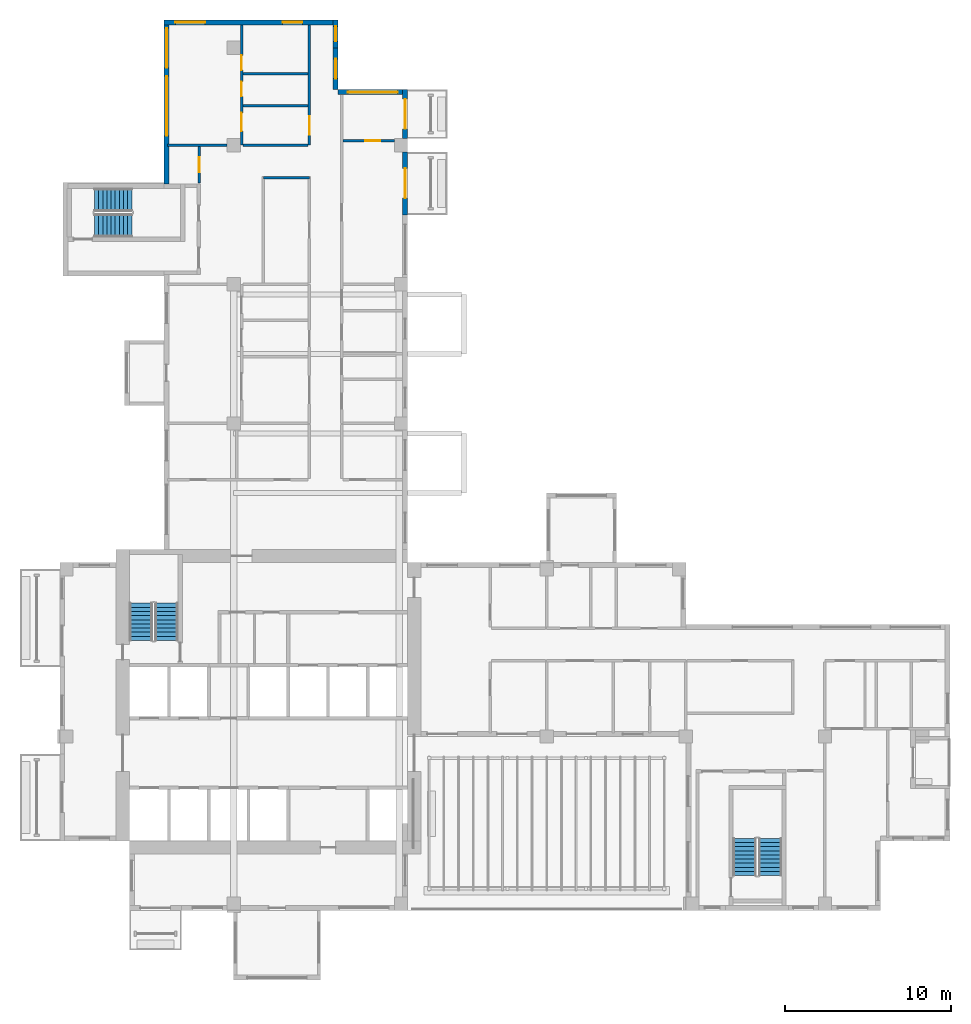
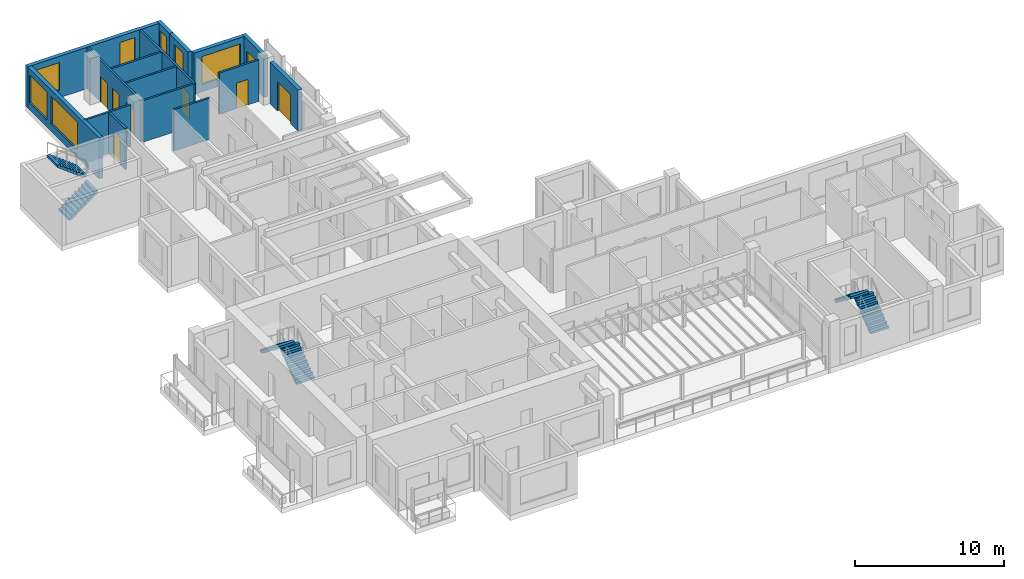
# One storey, part 9 of 13: 16 walls, 8 doors, 7 windows, 6 stair flights, 15 openings, 3 elements without a shape of their own.
"""IFC4 building model written with IfcOpenShell, lengths in metres."""

from ifc_helpers import new_model, si_unit, direction, frame, frame_2d, origin, place, context, subcontext, project, spatial, polyline, rectangle, outline, extrude, source, transform, mapped, material, layer, layer_set, type_object, element, fill, aggregate, save


model = new_model("IFC4")

# Units and contexts
model_context = context("Model", 3, precision=1e-05, world=origin(), true_north=direction((0.0, 1.0)))
body_context = subcontext(model_context, "Body", "Model", "MODEL_VIEW")
ifc_project = project(units=[si_unit("LENGTHUNIT", "METRE"), si_unit("AREAUNIT", "SQUARE_METRE"), si_unit("VOLUMEUNIT", "CUBIC_METRE"), si_unit("PLANEANGLEUNIT", "RADIAN"), si_unit("MASSUNIT", "GRAM", prefix="KILO")], contexts=[model_context])

# Site, building, storey
site_placement = place(None, origin())
site = spatial("IfcSite", under=ifc_project, at=site_placement, CompositionType="ELEMENT")
building_placement = place(site_placement, origin())
building = spatial("IfcBuilding", under=site, at=building_placement, Name="Aurelian Terraces", CompositionType="ELEMENT")
storey_placement = place(building_placement, frame((0.0, 0.0, 253.8)))
storey = spatial("IfcBuildingStorey", under=building, at=storey_placement, Name="L58", CompositionType="ELEMENT", Elevation=253.8)

# Wall, opening, window
ifc_material_1 = material(Name="Terracotta rainscreen cladding", Category="masonry")
ifc_layer_1 = layer(ifc_material_1, 0.3)
ifc_layer_set_1 = layer_set([ifc_layer_1], Name="EW-300")
wall_type_1 = type_object("IfcWallType", Name="EW-300", PredefinedType="STANDARD", material=ifc_layer_set_1)
shared_shape_1 = source(origin(), body_context, "Body", "SweptSolid", [
    extrude(rectangle(XDim=4.2, YDim=0.3, at=frame_2d((2.1, 0.0))), origin(), (0.0, 0.0, 1.0), 3.4),
])
wall_1_placement = place(storey_placement, frame((21.0, 49.41, 0.0), z_axis=(0.0, 0.0, 1.0), x_axis=(-1.0, 0.0, 0.0)))
wall_1 = element("IfcWall", 1, at=wall_1_placement, inside=storey, type_object=wall_type_1, Name="External wall L58 F13.26", PredefinedType="STANDARD", context=body_context, shape_type="MappedRepresentation", body=[
    mapped(shared_shape_1, transform((0.0, 0.0, 0.0), scale=1.0)),
])
shared_shape_2 = source(origin(), body_context, "Body", "SweptSolid", [
    extrude(rectangle(XDim=3.0, YDim=2.3, at=frame_2d((1.5, 1.15))), frame((0.0, 0.16, 0.0), z_axis=(0.0, -1.0, 0.0), x_axis=(1.0, 0.0, 0.0)), (0.0, 0.0, 1.0), 0.32),
])
opening_1_placement = place(wall_1_placement, frame((0.6, 0.0, 0.6)))
opening_1 = element("IfcOpeningElement", 2, at=opening_1_placement, cuts=wall_1, Name="Opening W3023", PredefinedType="OPENING", context=body_context, shape_type="MappedRepresentation", body=[
    mapped(shared_shape_2, transform((0.0, 0.0, 0.0), scale=1.0)),
])
ifc_material_2 = material(Name="Clear glazing", Category="glass")
window_type_1 = type_object("IfcWindowType", Name="W-3000x2300", PartitioningType="SINGLE_PANEL", PredefinedType="WINDOW", material=ifc_material_2)
shared_shape_3 = source(origin(), body_context, "Body", "SweptSolid", [
    extrude(rectangle(XDim=3.0, YDim=2.3, at=frame_2d((1.5, 1.15))), frame((0.0, 0.03, 0.0), z_axis=(0.0, -1.0, 0.0), x_axis=(1.0, 0.0, 0.0)), (0.0, 0.0, 1.0), 0.06),
])
window_1_placement = place(opening_1_placement, origin())
window_1 = element("IfcWindow", 3, at=window_1_placement, inside=storey, type_object=window_type_1, Name="Window L58 L58-F13-26-0", OverallHeight=2.3, OverallWidth=3.0, PartitioningType="SINGLE_PANEL", PredefinedType="WINDOW", context=body_context, shape_type="MappedRepresentation", body=[
    mapped(shared_shape_3, transform((0.0, 0.0, 0.0), scale=1.0)),
])
fill(opening_1, window_1)

shared_shape_4 = source(origin(), body_context, "Body", "SweptSolid", [
    extrude(rectangle(XDim=2.52, YDim=0.3, at=frame_2d((1.26, 0.0))), origin(), (0.0, 0.0, 1.0), 3.4),
])
wall_2_placement = place(storey_placement, frame((16.65, 49.56, 0.0), z_axis=(0.0, 0.0, 1.0), x_axis=(0.0, 1.0, 0.0)))
wall_2 = element("IfcWall", 4, at=wall_2_placement, inside=storey, type_object=wall_type_1, Name="External wall L58 F14.27", PredefinedType="STANDARD", context=body_context, shape_type="MappedRepresentation", body=[
    mapped(shared_shape_4, transform((0.0, 0.0, 0.0), scale=1.0)),
])
shared_shape_5 = source(origin(), body_context, "Body", "SweptSolid", [
    extrude(rectangle(XDim=1.2, YDim=2.3, at=frame_2d((0.6, 1.15))), frame((0.0, 0.16, 0.0), z_axis=(0.0, -1.0, 0.0), x_axis=(1.0, 0.0, 0.0)), (0.0, 0.0, 1.0), 0.32),
])
opening_2_placement = place(wall_2_placement, frame((0.66, 0.0, 0.6)))
opening_2 = element("IfcOpeningElement", 5, at=opening_2_placement, cuts=wall_2, Name="Opening W1223", PredefinedType="OPENING", context=body_context, shape_type="MappedRepresentation", body=[
    mapped(shared_shape_5, transform((0.0, 0.0, 0.0), scale=1.0)),
])
window_type_2 = type_object("IfcWindowType", Name="W-1200x2300", PartitioningType="SINGLE_PANEL", PredefinedType="WINDOW", material=ifc_material_2)
shared_shape_6 = source(origin(), body_context, "Body", "SweptSolid", [
    extrude(rectangle(XDim=1.2, YDim=2.3, at=frame_2d((0.6, 1.15))), frame((0.0, 0.03, 0.0), z_axis=(0.0, -1.0, 0.0), x_axis=(1.0, 0.0, 0.0)), (0.0, 0.0, 1.0), 0.06),
])
window_2_placement = place(opening_2_placement, origin())
window_2 = element("IfcWindow", 6, at=window_2_placement, inside=storey, type_object=window_type_2, Name="Window L58 L58-F14-27-0", OverallHeight=2.3, OverallWidth=1.2, PartitioningType="SINGLE_PANEL", PredefinedType="WINDOW", context=body_context, shape_type="MappedRepresentation", body=[
    mapped(shared_shape_6, transform((0.0, 0.0, 0.0), scale=1.0)),
])
fill(opening_2, window_2)

shared_shape_7 = source(origin(), body_context, "Body", "SweptSolid", [
    extrude(rectangle(XDim=1.68, YDim=0.3, at=frame_2d((0.84, 0.0))), origin(), (0.0, 0.0, 1.0), 3.4),
])
wall_3_placement = place(storey_placement, frame((16.65, 52.08, 0.0), z_axis=(0.0, 0.0, 1.0), x_axis=(0.0, 1.0, 0.0)))
wall_3 = element("IfcWall", 7, at=wall_3_placement, inside=storey, type_object=wall_type_1, Name="External wall L58 F14.28", PredefinedType="STANDARD", context=body_context, shape_type="MappedRepresentation", body=[
    mapped(shared_shape_7, transform((0.0, 0.0, 0.0), scale=1.0)),
])
shared_shape_8 = source(origin(), body_context, "Body", "SweptSolid", [
    extrude(rectangle(XDim=0.9, YDim=2.3, at=frame_2d((0.45, 1.15))), frame((0.0, 0.16, 0.0), z_axis=(0.0, -1.0, 0.0), x_axis=(1.0, 0.0, 0.0)), (0.0, 0.0, 1.0), 0.32),
])
opening_3_placement = place(wall_3_placement, frame((0.39, 0.0, 0.6)))
opening_3 = element("IfcOpeningElement", 8, at=opening_3_placement, cuts=wall_3, Name="Opening W0923", PredefinedType="OPENING", context=body_context, shape_type="MappedRepresentation", body=[
    mapped(shared_shape_8, transform((0.0, 0.0, 0.0), scale=1.0)),
])
window_type_3 = type_object("IfcWindowType", Name="W-900x2300", PartitioningType="SINGLE_PANEL", PredefinedType="WINDOW", material=ifc_material_2)
shared_shape_9 = source(origin(), body_context, "Body", "SweptSolid", [
    extrude(rectangle(XDim=0.9, YDim=2.3, at=frame_2d((0.45, 1.15))), frame((0.0, 0.03, 0.0), z_axis=(0.0, -1.0, 0.0), x_axis=(1.0, 0.0, 0.0)), (0.0, 0.0, 1.0), 0.06),
])
window_3_placement = place(opening_3_placement, origin())
window_3 = element("IfcWindow", 9, at=window_3_placement, inside=storey, type_object=window_type_3, Name="Window L58 L58-F14-28-P0", OverallHeight=2.3, OverallWidth=0.9, PartitioningType="SINGLE_PANEL", PredefinedType="WINDOW", context=body_context, shape_type="MappedRepresentation", body=[
    mapped(shared_shape_9, transform((0.0, 0.0, 0.0), scale=1.0)),
])
fill(opening_3, window_3)

# Wall, openings, windows
shared_shape_10 = source(origin(), body_context, "Body", "SweptSolid", [
    extrude(rectangle(XDim=10.5, YDim=0.3, at=frame_2d((5.25, 0.0))), origin(), (0.0, 0.0, 1.0), 3.4),
])
wall_4_placement = place(storey_placement, frame((16.8, 53.61, 0.0), z_axis=(0.0, 0.0, 1.0), x_axis=(-1.0, 0.0, 0.0)))
wall_4 = element("IfcWall", 10, at=wall_4_placement, inside=storey, type_object=wall_type_1, Name="External wall L58 F15.29", PredefinedType="STANDARD", context=body_context, shape_type="MappedRepresentation", body=[
    mapped(shared_shape_10, transform((0.0, 0.0, 0.0), scale=1.0)),
])
opening_4_placement = place(wall_4_placement, frame((2.15, 0.0, 0.6)))
opening_4 = element("IfcOpeningElement", 11, at=opening_4_placement, cuts=wall_4, Name="Opening W1223", PredefinedType="OPENING", context=body_context, shape_type="MappedRepresentation", body=[
    mapped(shared_shape_5, transform((0.0, 0.0, 0.0), scale=1.0)),
])
shared_shape_11 = source(origin(), body_context, "Body", "SweptSolid", [
    extrude(rectangle(XDim=1.8, YDim=2.3, at=frame_2d((0.9, 1.15))), frame((0.0, 0.16, 0.0), z_axis=(0.0, -1.0, 0.0), x_axis=(1.0, 0.0, 0.0)), (0.0, 0.0, 1.0), 0.32),
])
opening_5_placement = place(wall_4_placement, frame((8.025, 0.0, 0.6)))
opening_5 = element("IfcOpeningElement", 12, at=opening_5_placement, cuts=wall_4, Name="Opening W1823", PredefinedType="OPENING", context=body_context, shape_type="MappedRepresentation", body=[
    mapped(shared_shape_11, transform((0.0, 0.0, 0.0), scale=1.0)),
])
window_4_placement = place(opening_4_placement, origin())
window_4 = element("IfcWindow", 13, at=window_4_placement, inside=storey, type_object=window_type_2, Name="Window L58 L58-F15-29-0", OverallHeight=2.3, OverallWidth=1.2, PartitioningType="SINGLE_PANEL", PredefinedType="WINDOW", context=body_context, shape_type="MappedRepresentation", body=[
    mapped(shared_shape_6, transform((0.0, 0.0, 0.0), scale=1.0)),
])
fill(opening_4, window_4)
window_type_4 = type_object("IfcWindowType", Name="W-1800x2300", PartitioningType="SINGLE_PANEL", PredefinedType="WINDOW", material=ifc_material_2)
shared_shape_12 = source(origin(), body_context, "Body", "SweptSolid", [
    extrude(rectangle(XDim=1.8, YDim=2.3, at=frame_2d((0.9, 1.15))), frame((0.0, 0.03, 0.0), z_axis=(0.0, -1.0, 0.0), x_axis=(1.0, 0.0, 0.0)), (0.0, 0.0, 1.0), 0.06),
])
window_5_placement = place(opening_5_placement, origin())
window_5 = element("IfcWindow", 14, at=window_5_placement, inside=storey, type_object=window_type_4, Name="Window L58 L58-F15-29-2", OverallHeight=2.3, OverallWidth=1.8, PartitioningType="SINGLE_PANEL", PredefinedType="WINDOW", context=body_context, shape_type="MappedRepresentation", body=[
    mapped(shared_shape_12, transform((0.0, 0.0, 0.0), scale=1.0)),
])
fill(opening_5, window_5)

shared_shape_13 = source(origin(), body_context, "Body", "SweptSolid", [
    extrude(rectangle(XDim=9.91, YDim=0.3, at=frame_2d((4.955, 0.0))), origin(), (0.0, 0.0, 1.0), 3.4),
])
wall_5_placement = place(storey_placement, frame((6.45, 53.76, 0.0), z_axis=(0.0, 0.0, 1.0), x_axis=(0.0, -1.0, 0.0)))
wall_5 = element("IfcWall", 15, at=wall_5_placement, inside=storey, type_object=wall_type_1, Name="External wall L58 F16.30", PredefinedType="STANDARD", context=body_context, shape_type="MappedRepresentation", body=[
    mapped(shared_shape_13, transform((0.0, 0.0, 0.0), scale=1.0)),
])
shared_shape_14 = source(origin(), body_context, "Body", "SweptSolid", [
    extrude(rectangle(XDim=3.6, YDim=2.3, at=frame_2d((1.8, 1.15))), frame((0.0, 0.16, 0.0), z_axis=(0.0, -1.0, 0.0), x_axis=(1.0, 0.0, 0.0)), (0.0, 0.0, 1.0), 0.32),
])
opening_6_placement = place(wall_5_placement, frame((3.39, 0.0, 0.6)))
opening_6 = element("IfcOpeningElement", 16, at=opening_6_placement, cuts=wall_5, Name="Opening W3623", PredefinedType="OPENING", context=body_context, shape_type="MappedRepresentation", body=[
    mapped(shared_shape_14, transform((0.0, 0.0, 0.0), scale=1.0)),
])
shared_shape_15 = source(origin(), body_context, "Body", "SweptSolid", [
    extrude(rectangle(XDim=2.4, YDim=2.3, at=frame_2d((1.2, 1.15))), frame((0.0, 0.16, 0.0), z_axis=(0.0, -1.0, 0.0), x_axis=(1.0, 0.0, 0.0)), (0.0, 0.0, 1.0), 0.32),
])
opening_7_placement = place(wall_5_placement, frame((0.495, 0.0, 0.6)))
opening_7 = element("IfcOpeningElement", 17, at=opening_7_placement, cuts=wall_5, Name="Opening W2423", PredefinedType="OPENING", context=body_context, shape_type="MappedRepresentation", body=[
    mapped(shared_shape_15, transform((0.0, 0.0, 0.0), scale=1.0)),
])
window_type_5 = type_object("IfcWindowType", Name="W-3600x2300", PartitioningType="SINGLE_PANEL", PredefinedType="WINDOW", material=ifc_material_2)
shared_shape_16 = source(origin(), body_context, "Body", "SweptSolid", [
    extrude(rectangle(XDim=3.6, YDim=2.3, at=frame_2d((1.8, 1.15))), frame((0.0, 0.03, 0.0), z_axis=(0.0, -1.0, 0.0), x_axis=(1.0, 0.0, 0.0)), (0.0, 0.0, 1.0), 0.06),
])
window_6_placement = place(opening_6_placement, origin())
window_6 = element("IfcWindow", 18, at=window_6_placement, inside=storey, type_object=window_type_5, Name="Window L58 L58-F16-30-1", OverallHeight=2.3, OverallWidth=3.6, PartitioningType="SINGLE_PANEL", PredefinedType="WINDOW", context=body_context, shape_type="MappedRepresentation", body=[
    mapped(shared_shape_16, transform((0.0, 0.0, 0.0), scale=1.0)),
])
fill(opening_6, window_6)
window_type_6 = type_object("IfcWindowType", Name="W-2400x2300", PartitioningType="SINGLE_PANEL", PredefinedType="WINDOW", material=ifc_material_2)
shared_shape_17 = source(origin(), body_context, "Body", "SweptSolid", [
    extrude(rectangle(XDim=2.4, YDim=2.3, at=frame_2d((1.2, 1.15))), frame((0.0, 0.03, 0.0), z_axis=(0.0, -1.0, 0.0), x_axis=(1.0, 0.0, 0.0)), (0.0, 0.0, 1.0), 0.06),
])
window_7_placement = place(opening_7_placement, origin())
window_7 = element("IfcWindow", 19, at=window_7_placement, inside=storey, type_object=window_type_6, Name="Window L58 L58-F16-30-G0-0", OverallHeight=2.3, OverallWidth=2.4, PartitioningType="SINGLE_PANEL", PredefinedType="WINDOW", context=body_context, shape_type="MappedRepresentation", body=[
    mapped(shared_shape_17, transform((0.0, 0.0, 0.0), scale=1.0)),
])
fill(opening_7, window_7)

# Wall, opening, door
shared_shape_18 = source(origin(), body_context, "Body", "SweptSolid", [
    extrude(rectangle(XDim=2.96, YDim=0.3, at=frame_2d((1.48, 0.0))), origin(), (0.0, 0.0, 1.0), 3.4),
])
wall_6_placement = place(storey_placement, frame((20.85, 46.6, 0.0), z_axis=(0.0, 0.0, 1.0), x_axis=(0.0, 1.0, 0.0)))
wall_6 = element("IfcWall", 20, at=wall_6_placement, inside=storey, type_object=wall_type_1, Name="External wall L58 F12.25", PredefinedType="STANDARD", context=body_context, shape_type="MappedRepresentation", body=[
    mapped(shared_shape_18, transform((0.0, 0.0, 0.0), scale=1.0)),
])
shared_shape_19 = source(origin(), body_context, "Body", "SweptSolid", [
    extrude(rectangle(XDim=1.8, YDim=2.4, at=frame_2d((0.9, 1.2))), frame((0.0, 0.16, 0.0), z_axis=(0.0, -1.0, 0.0), x_axis=(1.0, 0.0, 0.0)), (0.0, 0.0, 1.0), 0.32),
])
opening_8_placement = place(wall_6_placement, frame((0.58, 0.0, 0.0)))
opening_8 = element("IfcOpeningElement", 21, at=opening_8_placement, cuts=wall_6, Name="Opening 85808", PredefinedType="OPENING", context=body_context, shape_type="MappedRepresentation", body=[
    mapped(shared_shape_19, transform((0.0, 0.0, 0.0), scale=1.0)),
])
door_type_1 = type_object("IfcDoorType", Name="BD-1800x2400", OperationType="SLIDING_TO_LEFT", PredefinedType="DOOR", material=ifc_material_2)
shared_shape_20 = source(origin(), body_context, "Body", "SweptSolid", [
    extrude(rectangle(XDim=1.8, YDim=2.4, at=frame_2d((0.9, 1.2))), frame((0.0, 0.025, 0.0), z_axis=(0.0, -1.0, 0.0), x_axis=(1.0, 0.0, 0.0)), (0.0, 0.0, 1.0), 0.05),
])
door_1_placement = place(opening_8_placement, origin())
door_1 = element("IfcDoor", 22, at=door_1_placement, inside=storey, type_object=door_type_1, Name="Balcony door L58 F12.25", OperationType="SLIDING_TO_LEFT", OverallHeight=2.4, OverallWidth=1.8, PredefinedType="DOOR", context=body_context, shape_type="MappedRepresentation", body=[
    mapped(shared_shape_20, transform((0.0, 0.0, 0.0), scale=1.0)),
])
fill(opening_8, door_1)

shared_shape_21 = source(origin(), body_context, "Body", "SweptSolid", [
    extrude(rectangle(XDim=3.8, YDim=0.3, at=frame_2d((1.9, 0.0))), origin(), (0.0, 0.0, 1.0), 3.4),
])
wall_7_placement = place(storey_placement, frame((20.85, 42.0, 0.0), z_axis=(0.0, 0.0, 1.0), x_axis=(0.0, 1.0, 0.0)))
wall_7 = element("IfcWall", 23, at=wall_7_placement, inside=storey, type_object=wall_type_1, Name="External wall L58 F12.24", PredefinedType="STANDARD", context=body_context, shape_type="MappedRepresentation", body=[
    mapped(shared_shape_21, transform((0.0, 0.0, 0.0), scale=1.0)),
])
opening_9_placement = place(wall_7_placement, frame((1.0, 0.0, 0.0)))
opening_9 = element("IfcOpeningElement", 24, at=opening_9_placement, cuts=wall_7, Name="Opening 85807", PredefinedType="OPENING", context=body_context, shape_type="MappedRepresentation", body=[
    mapped(shared_shape_19, transform((0.0, 0.0, 0.0), scale=1.0)),
])
door_2_placement = place(opening_9_placement, origin())
door_2 = element("IfcDoor", 25, at=door_2_placement, inside=storey, type_object=door_type_1, Name="Balcony door L58 F12.24", OperationType="SLIDING_TO_LEFT", OverallHeight=2.4, OverallWidth=1.8, PredefinedType="DOOR", context=body_context, shape_type="MappedRepresentation", body=[
    mapped(shared_shape_20, transform((0.0, 0.0, 0.0), scale=1.0)),
])
fill(opening_9, door_2)

ifc_material_3 = material(Name="Gypsum board on steel studs", Category="steel")
ifc_layer_2 = layer(ifc_material_3, 0.15)
ifc_layer_set_2 = layer_set([ifc_layer_2], Name="Partition 150")
wall_type_2 = type_object("IfcWallType", Name="Partition 150", PredefinedType="PARTITIONING", material=ifc_layer_set_2)
shared_shape_22 = source(origin(), body_context, "Body", "SweptSolid", [
    extrude(rectangle(XDim=2.2, YDim=0.15, at=frame_2d((1.1, 0.0))), origin(), (0.0, 0.0, 1.0), 3.4),
])
wall_8_placement = place(storey_placement, frame((8.425, 43.925, 0.0), z_axis=(0.0, 0.0, 1.0), x_axis=(0.0, 1.0, 0.0)))
wall_8 = element("IfcWall", 26, at=wall_8_placement, inside=storey, type_object=wall_type_2, Name="Partition", PredefinedType="PARTITIONING", context=body_context, shape_type="MappedRepresentation", body=[
    mapped(shared_shape_22, transform((0.0, 0.0, 0.0), scale=1.0)),
])
shared_shape_23 = source(origin(), body_context, "Body", "SweptSolid", [
    extrude(rectangle(XDim=0.9, YDim=2.1, at=frame_2d((0.45, 1.05))), frame((0.0, 0.085, 0.0), z_axis=(0.0, -1.0, 0.0), x_axis=(1.0, 0.0, 0.0)), (0.0, 0.0, 1.0), 0.17),
])
opening_10_placement = place(wall_8_placement, frame((0.65, 0.0, 0.0)))
opening_10 = element("IfcOpeningElement", 27, at=opening_10_placement, cuts=wall_8, Name="Opening 758019", PredefinedType="OPENING", context=body_context, shape_type="MappedRepresentation", body=[
    mapped(shared_shape_23, transform((0.0, 0.0, 0.0), scale=1.0)),
])
ifc_material_4 = material(Name="Timber door leaf", Category="wood")
door_type_2 = type_object("IfcDoorType", Name="Room door 900x2100 right", OperationType="SINGLE_SWING_RIGHT", PredefinedType="DOOR", material=ifc_material_4)
shared_shape_24 = source(origin(), body_context, "Body", "SweptSolid", [
    extrude(rectangle(XDim=0.9, YDim=2.1, at=frame_2d((0.45, 1.05))), frame((0.0, 0.025, 0.0), z_axis=(0.0, -1.0, 0.0), x_axis=(1.0, 0.0, 0.0)), (0.0, 0.0, 1.0), 0.05),
])
door_3_placement = place(opening_10_placement, origin())
door_3 = element("IfcDoor", 28, at=door_3_placement, inside=storey, type_object=door_type_2, Name="Door 758019", OperationType="SINGLE_SWING_RIGHT", OverallHeight=2.1, OverallWidth=0.9, PredefinedType="DOOR", context=body_context, shape_type="MappedRepresentation", body=[
    mapped(shared_shape_24, transform((0.0, 0.0, 0.0), scale=1.0)),
])
fill(opening_10, door_3)

# Wall, openings, doors
shared_shape_25 = source(origin(), body_context, "Body", "SweptSolid", [
    extrude(rectangle(XDim=7.26, YDim=0.15, at=frame_2d((3.63, 0.0))), origin(), (0.0, 0.0, 1.0), 3.4),
])
wall_9_placement = place(storey_placement, frame((10.975, 46.2, 0.0), z_axis=(0.0, 0.0, 1.0), x_axis=(0.0, 1.0, 0.0)))
wall_9 = element("IfcWall", 29, at=wall_9_placement, inside=storey, type_object=wall_type_2, Name="Partition", PredefinedType="PARTITIONING", context=body_context, shape_type="MappedRepresentation", body=[
    mapped(shared_shape_25, transform((0.0, 0.0, 0.0), scale=1.0)),
])
shared_shape_26 = source(origin(), body_context, "Body", "SweptSolid", [
    extrude(rectangle(XDim=1.1, YDim=2.1, at=frame_2d((0.55, 1.05))), frame((0.0, 0.085, 0.0), z_axis=(0.0, -1.0, 0.0), x_axis=(1.0, 0.0, 0.0)), (0.0, 0.0, 1.0), 0.17),
])
opening_11_placement = place(wall_9_placement, frame((0.8474, 0.0, 0.0)))
opening_11 = element("IfcOpeningElement", 30, at=opening_11_placement, cuts=wall_9, Name="Opening 758026", PredefinedType="OPENING", context=body_context, shape_type="MappedRepresentation", body=[
    mapped(shared_shape_26, transform((0.0, 0.0, 0.0), scale=1.0)),
])
opening_12_placement = place(wall_9_placement, frame((2.9464, 0.0, 0.0)))
opening_12 = element("IfcOpeningElement", 31, at=opening_12_placement, cuts=wall_9, Name="Opening 758027", PredefinedType="OPENING", context=body_context, shape_type="MappedRepresentation", body=[
    mapped(shared_shape_23, transform((0.0, 0.0, 0.0), scale=1.0)),
])
opening_13_placement = place(wall_9_placement, frame((4.529, 0.0, 0.0)))
opening_13 = element("IfcOpeningElement", 32, at=opening_13_placement, cuts=wall_9, Name="Opening 758028", PredefinedType="OPENING", context=body_context, shape_type="MappedRepresentation", body=[
    mapped(shared_shape_23, transform((0.0, 0.0, 0.0), scale=1.0)),
])
door_type_3 = type_object("IfcDoorType", Name="Room door 900x2100 left", OperationType="SINGLE_SWING_LEFT", PredefinedType="DOOR", material=ifc_material_4)
door_4_placement = place(opening_12_placement, origin())
door_4 = element("IfcDoor", 33, at=door_4_placement, inside=storey, type_object=door_type_3, Name="Door 758027", OperationType="SINGLE_SWING_LEFT", OverallHeight=2.1, OverallWidth=0.9, PredefinedType="DOOR", context=body_context, shape_type="MappedRepresentation", body=[
    mapped(shared_shape_24, transform((0.0, 0.0, 0.0), scale=1.0)),
])
fill(opening_12, door_4)
door_5_placement = place(opening_13_placement, origin())
door_5 = element("IfcDoor", 34, at=door_5_placement, inside=storey, type_object=door_type_2, Name="Door 758028", OperationType="SINGLE_SWING_RIGHT", OverallHeight=2.1, OverallWidth=0.9, PredefinedType="DOOR", context=body_context, shape_type="MappedRepresentation", body=[
    mapped(shared_shape_24, transform((0.0, 0.0, 0.0), scale=1.0)),
])
fill(opening_13, door_5)
door_type_4 = type_object("IfcDoorType", Name="Room door 1100x2100 right", OperationType="SINGLE_SWING_RIGHT", PredefinedType="DOOR", material=ifc_material_4)
shared_shape_27 = source(origin(), body_context, "Body", "SweptSolid", [
    extrude(rectangle(XDim=1.1, YDim=2.1, at=frame_2d((0.55, 1.05))), frame((0.0, 0.025, 0.0), z_axis=(0.0, -1.0, 0.0), x_axis=(1.0, 0.0, 0.0)), (0.0, 0.0, 1.0), 0.05),
])
door_6_placement = place(opening_11_placement, origin())
door_6 = element("IfcDoor", 35, at=door_6_placement, inside=storey, type_object=door_type_4, Name="Door 758026", OperationType="SINGLE_SWING_RIGHT", OverallHeight=2.1, OverallWidth=1.1, PredefinedType="DOOR", context=body_context, shape_type="MappedRepresentation", body=[
    mapped(shared_shape_27, transform((0.0, 0.0, 0.0), scale=1.0)),
])
fill(opening_11, door_6)

# Wall, opening, door
ifc_layer_3 = layer(ifc_material_3, 0.15)
ifc_layer_set_3 = layer_set([ifc_layer_3], Name="Fire partition 150")
wall_type_3 = type_object("IfcWallType", Name="Fire partition 150", PredefinedType="PARTITIONING", material=ifc_layer_set_3)
wall_10_placement = place(storey_placement, frame((15.075, 46.2, 0.0), z_axis=(0.0, 0.0, 1.0), x_axis=(0.0, 1.0, 0.0)))
wall_10 = element("IfcWall", 36, at=wall_10_placement, inside=storey, type_object=wall_type_3, Name="Corridor wall", PredefinedType="PARTITIONING", context=body_context, shape_type="MappedRepresentation", body=[
    mapped(shared_shape_25, transform((0.0, 0.0, 0.0), scale=1.0)),
])
opening_14_placement = place(wall_10_placement, frame((0.6349, 0.0, 0.0)))
opening_14 = element("IfcOpeningElement", 37, at=opening_14_placement, cuts=wall_10, Name="Opening 758025", PredefinedType="OPENING", context=body_context, shape_type="MappedRepresentation", body=[
    mapped(shared_shape_26, transform((0.0, 0.0, 0.0), scale=1.0)),
])
ifc_material_5 = material(Name="Steel door leaf", Category="steel")
door_type_5 = type_object("IfcDoorType", Name="Entrance fire door 1100x2100 left", OperationType="SINGLE_SWING_LEFT", PredefinedType="DOOR", material=ifc_material_5)
door_7_placement = place(opening_14_placement, origin())
door_7 = element("IfcDoor", 38, at=door_7_placement, inside=storey, type_object=door_type_5, Name="Door 758025", OperationType="SINGLE_SWING_LEFT", OverallHeight=2.1, OverallWidth=1.1, PredefinedType="DOOR", context=body_context, shape_type="MappedRepresentation", body=[
    mapped(shared_shape_27, transform((0.0, 0.0, 0.0), scale=1.0)),
])
fill(opening_14, door_7)

# Walls
shared_shape_28 = source(origin(), body_context, "Body", "SweptSolid", [
    extrude(rectangle(XDim=2.775, YDim=0.15, at=frame_2d((1.3875, 0.0))), origin(), (0.0, 0.0, 1.0), 3.4),
])
wall_11_placement = place(storey_placement, frame((15.075, 44.25, 0.0), z_axis=(0.0, 0.0, 1.0), x_axis=(-1.0, 0.0, 0.0)))
element("IfcWall", 39, at=wall_11_placement, inside=storey, type_object=wall_type_2, Name="Partition", PredefinedType="PARTITIONING", context=body_context, shape_type="MappedRepresentation", body=[
    mapped(shared_shape_28, transform((0.0, 0.0, 0.0), scale=1.0)),
])
shared_shape_29 = source(origin(), body_context, "Body", "SweptSolid", [
    extrude(rectangle(XDim=3.95, YDim=0.15, at=frame_2d((1.975, 0.0))), origin(), (0.0, 0.0, 1.0), 3.4),
])
for number, where, z_axis, x_axis, name in (
    (40, (15.0, 48.5699, 0.0), (0.0, 0.0, 1.0), (-1.0, 0.0, 0.0), "Partition"),
    (41, (15.0, 50.5229, 0.0), (0.0, 0.0, 1.0), (-1.0, 0.0, 0.0), "Partition"),
):
    element("IfcWall", number, at=place(storey_placement, frame(where, z_axis=z_axis, x_axis=x_axis)), inside=storey, type_object=wall_type_2, Name=name, PredefinedType="PARTITIONING", context=body_context, shape_type="MappedRepresentation", body=[
        mapped(shared_shape_29, transform((0.0, 0.0, 0.0), scale=1.0)),
    ])
wall_12_placement = place(storey_placement, frame((15.0, 46.2, 0.0), z_axis=(0.0, 0.0, 1.0), x_axis=(-1.0, 0.0, 0.0)))
element("IfcWall", 42, at=wall_12_placement, inside=storey, type_object=wall_type_3, Name="Party wall", PredefinedType="PARTITIONING", context=body_context, shape_type="MappedRepresentation", body=[
    mapped(shared_shape_29, transform((0.0, 0.0, 0.0), scale=1.0)),
])

# Wall, opening, door
shared_shape_30 = source(origin(), body_context, "Body", "SweptSolid", [
    extrude(rectangle(XDim=3.101, YDim=0.15, at=frame_2d((1.5505, 0.0))), origin(), (0.0, 0.0, 1.0), 3.4),
])
wall_13_placement = place(storey_placement, frame((17.1, 46.46, 0.0), z_axis=(0.0, 0.0, 1.0), x_axis=(1.0, 0.0, 0.0)))
wall_13 = element("IfcWall", 43, at=wall_13_placement, inside=storey, type_object=wall_type_2, Name="Partition", PredefinedType="PARTITIONING", context=body_context, shape_type="MappedRepresentation", body=[
    mapped(shared_shape_30, transform((0.0, 0.0, 0.0), scale=1.0)),
])
opening_15_placement = place(wall_13_placement, frame((1.35, 0.0, 0.0)))
opening_15 = element("IfcOpeningElement", 44, at=opening_15_placement, cuts=wall_13, Name="Opening 758034", PredefinedType="OPENING", context=body_context, shape_type="MappedRepresentation", body=[
    mapped(shared_shape_23, transform((0.0, 0.0, 0.0), scale=1.0)),
])
door_8_placement = place(opening_15_placement, origin())
door_8 = element("IfcDoor", 45, at=door_8_placement, inside=storey, type_object=door_type_2, Name="Door 758034", OperationType="SINGLE_SWING_RIGHT", OverallHeight=2.1, OverallWidth=0.9, PredefinedType="DOOR", context=body_context, shape_type="MappedRepresentation", body=[
    mapped(shared_shape_24, transform((0.0, 0.0, 0.0), scale=1.0)),
])
fill(opening_15, door_8)

# Wall
shared_shape_31 = source(origin(), body_context, "Body", "SweptSolid", [
    extrude(rectangle(XDim=3.596, YDim=0.15, at=frame_2d((1.798, 0.0))), origin(), (0.0, 0.0, 1.0), 3.4),
])
wall_14_placement = place(storey_placement, frame((10.101, 46.2, 0.0), z_axis=(0.0, 0.0, 1.0), x_axis=(-1.0, 0.0, 0.0)))
element("IfcWall", 46, at=wall_14_placement, inside=storey, type_object=wall_type_3, Name="Party wall", PredefinedType="PARTITIONING", context=body_context, shape_type="MappedRepresentation", body=[
    mapped(shared_shape_31, transform((0.0, 0.0, 0.0), scale=1.0)),
])

# Stair, stair flights
ifc_material_6 = material(Name="Concrete fc' 40 MPa", Category="concrete")
stair_type = type_object("IfcStairType", Name="Stair 1400", PredefinedType="HALF_TURN_STAIR", material=ifc_material_6)
stair_1_placement = place(storey_placement, origin())
stair_1 = element("IfcStair", 47, at=stair_1_placement, inside=storey, type_object=stair_type, Name="L58 S1", PredefinedType="HALF_TURN_STAIR")
stair_flight_type = type_object("IfcStairFlightType", Name="Stair flight 1400", PredefinedType="STRAIGHT", material=ifc_material_6)
shared_shape_32 = source(origin(), body_context, "Body", "SweptSolid", [
    extrude(outline(polyline([(0.0, 0.0), (0.0, 0.19), (0.25, 0.19), (0.25, 0.38), (0.5, 0.38), (0.5, 0.57), (0.75, 0.57), (0.75, 0.76), (1.0, 0.76), (1.0, 0.95), (1.25, 0.95), (1.25, 1.14), (1.5, 1.14), (1.5, 1.33), (1.75, 1.33), (1.75, 1.52), (2.0, 1.52), (2.0, 1.71), (2.25, 1.71), (2.25, 1.9), (2.25, 1.5216), (0.2479, 0.0), (0.0, 0.0)])), frame((0.0, 0.7, 0.0), z_axis=(0.0, -1.0, 0.0), x_axis=(1.0, 0.0, 0.0)), (0.0, 0.0, 1.0), 1.4),
])
stair_flight_1_placement = place(storey_placement, frame((6.45, 16.3, 2e-08), z_axis=(0.0, 0.0, 1.0), x_axis=(0.0, 1.0, 0.0)))
stair_flight_1 = element("IfcStairFlight", 48, at=stair_flight_1_placement, type_object=stair_flight_type, Name="S1 flight 1", NumberOfRisers=10, NumberOfTreads=9, PredefinedType="STRAIGHT", RiserHeight=0.19, TreadLength=0.25, context=body_context, shape_type="MappedRepresentation", body=[
    mapped(shared_shape_32, transform((0.0, 0.0, 0.0), scale=1.0)),
])
stair_flight_2_placement = place(storey_placement, frame((4.9, 18.55, 1.9000000199999774), z_axis=(0.0, 0.0, 1.0), x_axis=(0.0, -1.0, 0.0)))
stair_flight_2 = element("IfcStairFlight", 49, at=stair_flight_2_placement, type_object=stair_flight_type, Name="S1 flight 2", NumberOfRisers=10, NumberOfTreads=9, PredefinedType="STRAIGHT", RiserHeight=0.19, TreadLength=0.25, context=body_context, shape_type="MappedRepresentation", body=[
    mapped(shared_shape_32, transform((0.0, 0.0, 0.0), scale=1.0)),
])
aggregate(stair_1, [stair_flight_1, stair_flight_2])

stair_2_placement = place(storey_placement, origin())
stair_2 = element("IfcStair", 50, at=stair_2_placement, inside=storey, type_object=stair_type, Name="L58 S2", PredefinedType="HALF_TURN_STAIR")
stair_flight_3_placement = place(storey_placement, frame((42.9, 2.1, 2e-08), z_axis=(0.0, 0.0, 1.0), x_axis=(0.0, 1.0, 0.0)))
stair_flight_3 = element("IfcStairFlight", 51, at=stair_flight_3_placement, type_object=stair_flight_type, Name="S2 flight 1", NumberOfRisers=10, NumberOfTreads=9, PredefinedType="STRAIGHT", RiserHeight=0.19, TreadLength=0.25, context=body_context, shape_type="MappedRepresentation", body=[
    mapped(shared_shape_32, transform((0.0, 0.0, 0.0), scale=1.0)),
])
stair_flight_4_placement = place(storey_placement, frame((41.35, 4.35, 1.9000000199999774), z_axis=(0.0, 0.0, 1.0), x_axis=(0.0, -1.0, 0.0)))
stair_flight_4 = element("IfcStairFlight", 52, at=stair_flight_4_placement, type_object=stair_flight_type, Name="S2 flight 2", NumberOfRisers=10, NumberOfTreads=9, PredefinedType="STRAIGHT", RiserHeight=0.19, TreadLength=0.25, context=body_context, shape_type="MappedRepresentation", body=[
    mapped(shared_shape_32, transform((0.0, 0.0, 0.0), scale=1.0)),
])
aggregate(stair_2, [stair_flight_3, stair_flight_4])

stair_3_placement = place(storey_placement, origin())
stair_3 = element("IfcStair", 53, at=stair_3_placement, inside=storey, type_object=stair_type, Name="L58 S3", PredefinedType="HALF_TURN_STAIR")
stair_flight_5_placement = place(storey_placement, frame((2.1, 41.35, 2e-08), z_axis=(0.0, 0.0, 1.0), x_axis=(1.0, 0.0, 0.0)))
stair_flight_5 = element("IfcStairFlight", 54, at=stair_flight_5_placement, type_object=stair_flight_type, Name="S3 flight 1", NumberOfRisers=10, NumberOfTreads=9, PredefinedType="STRAIGHT", RiserHeight=0.19, TreadLength=0.25, context=body_context, shape_type="MappedRepresentation", body=[
    mapped(shared_shape_32, transform((0.0, 0.0, 0.0), scale=1.0)),
])
stair_flight_6_placement = place(storey_placement, frame((4.35, 42.9, 1.9000000199999774), z_axis=(0.0, 0.0, 1.0), x_axis=(-1.0, 0.0, 0.0)))
stair_flight_6 = element("IfcStairFlight", 55, at=stair_flight_6_placement, type_object=stair_flight_type, Name="S3 flight 2", NumberOfRisers=10, NumberOfTreads=9, PredefinedType="STRAIGHT", RiserHeight=0.19, TreadLength=0.25, context=body_context, shape_type="MappedRepresentation", body=[
    mapped(shared_shape_32, transform((0.0, 0.0, 0.0), scale=1.0)),
])
aggregate(stair_3, [stair_flight_5, stair_flight_6])

save(model, "model.ifc")
